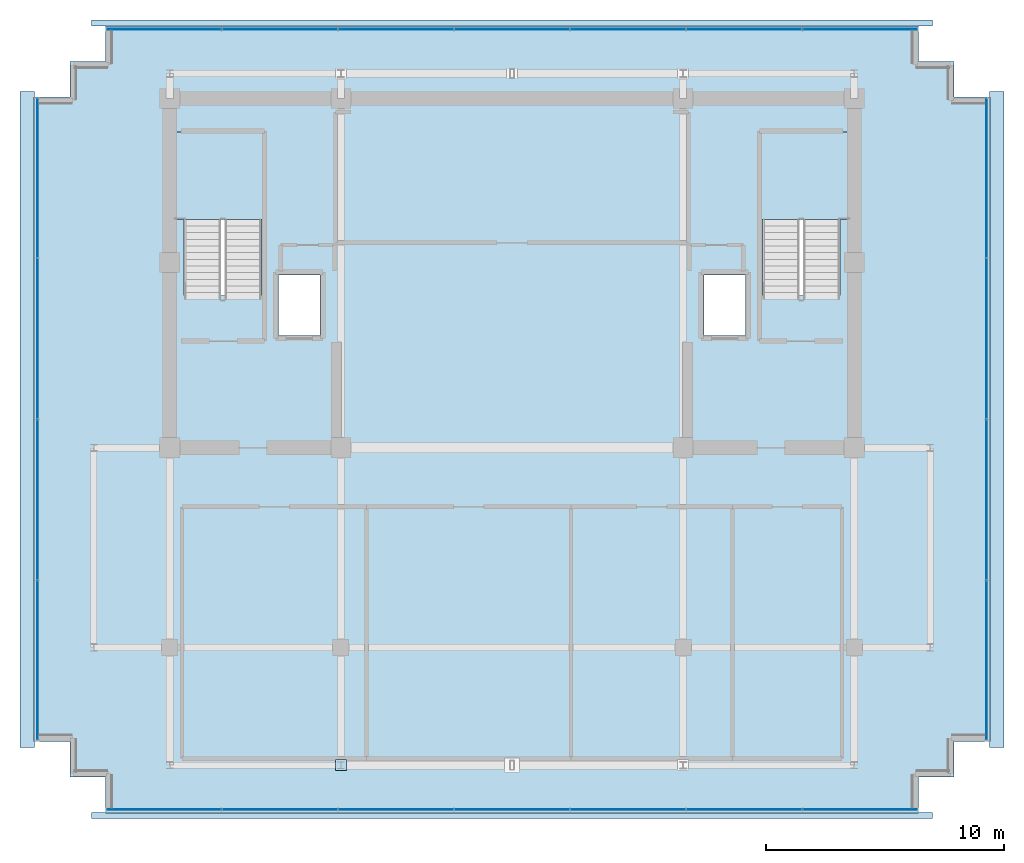
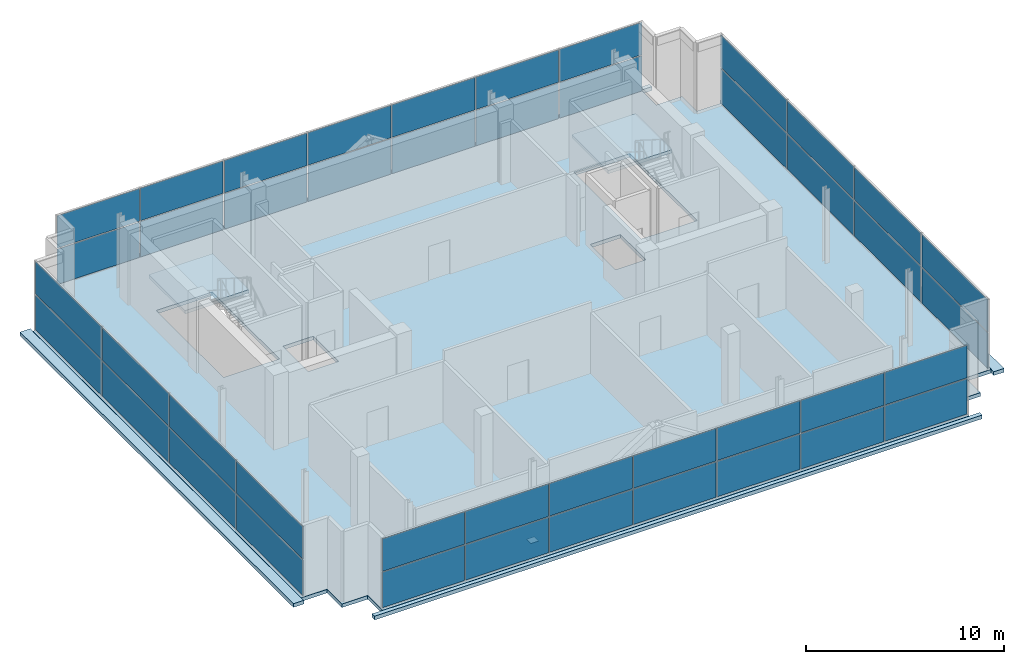
# One storey, part 23 of 28: 45 plates, 7 slabs, 6 elements without a shape of their own.
"""IFC4 building model written with IfcOpenShell, lengths in metres."""

from ifc_helpers import new_model, si_unit, direction, frame, origin, origin_2d, place, context, subcontext, project, spatial, polyline, rectangle, outline, extrude, source, transform, mapped, material, layer, layer_set, type_object, element, aggregate, save


model = new_model("IFC4")

# Units and contexts
model_context = context("Model", 3, precision=1e-05, world=origin(), true_north=direction((0.0, 1.0)))
body_context = subcontext(model_context, "Body", "Model", "MODEL_VIEW")
ifc_project = project(units=[si_unit("LENGTHUNIT", "METRE"), si_unit("AREAUNIT", "SQUARE_METRE"), si_unit("VOLUMEUNIT", "CUBIC_METRE"), si_unit("PLANEANGLEUNIT", "RADIAN"), si_unit("MASSUNIT", "GRAM", prefix="KILO")], contexts=[model_context])

# Site, building, storey
site_placement = place(None, origin())
site = spatial("IfcSite", under=ifc_project, at=site_placement, CompositionType="ELEMENT")
building_placement = place(site_placement, origin())
building = spatial("IfcBuilding", under=site, at=building_placement, Name="Zarnakvel Exchange Tower", CompositionType="ELEMENT")
storey_placement = place(building_placement, frame((0.0, 0.0, 276.199951171875)))
storey = spatial("IfcBuildingStorey", under=building, at=storey_placement, Name="Crown L78", CompositionType="ELEMENT", Elevation=276.199951171875)

# Stair, slab
ifc_material_1 = material(Name="Concrete C40/50", Category="concrete")
stair_type = type_object("IfcStairType", Name="STR-01", PredefinedType="HALF_TURN_STAIR", material=ifc_material_1)
stair_1_placement = place(storey_placement, origin())
stair_1 = element("IfcStair", 1, at=stair_1_placement, inside=storey, type_object=stair_type, Name="Crown L78 Protected Core Exit Stair ST-01", PredefinedType="HALF_TURN_STAIR")
ifc_layer_1 = layer(ifc_material_1, 0.199951171875)
ifc_layer_set_1 = layer_set([ifc_layer_1], Name="Concrete C40/50")
slab_type_1 = type_object("IfcSlabType", Name="LDG-01", PredefinedType="LANDING", material=ifc_layer_set_1)
slab_1_placement = place(storey_placement, frame((0.0, 0.0, 2.10009765625)))
slab_1 = element("IfcSlab", 2, at=slab_1_placement, type_object=slab_type_1, Name="ST-01 landing 1", PredefinedType="LANDING", context=body_context, shape_type="SweptSolid", body=[
    extrude(outline(polyline([(-14.18994140625, 8.409912109375), (-10.4599609375, 8.409912109375), (-10.4599609375, 12.080078125), (-14.18994140625, 12.080078125), (-14.18994140625, 8.409912109375)])), origin(), (0.0, 0.0, 1.0), 0.199951171875),
])
aggregate(stair_1, [slab_1])

stair_2_placement = place(storey_placement, origin())
stair_2 = element("IfcStair", 3, at=stair_2_placement, inside=storey, type_object=stair_type, Name="Crown L78 Protected Core Exit Stair ST-02", PredefinedType="HALF_TURN_STAIR")
slab_2_placement = place(storey_placement, frame((0.0, 0.0, 2.10009765625)))
slab_2 = element("IfcSlab", 4, at=slab_2_placement, type_object=slab_type_1, Name="ST-02 landing 1", PredefinedType="LANDING", context=body_context, shape_type="SweptSolid", body=[
    extrude(outline(polyline([(10.4599609375, 8.409912109375), (14.18994140625, 8.409912109375), (14.18994140625, 12.080078125), (10.4599609375, 12.080078125), (10.4599609375, 8.409912109375)])), origin(), (0.0, 0.0, 1.0), 0.199951171875),
])
aggregate(stair_2, [slab_2])

# Slabs
ifc_layer_2 = layer(ifc_material_1, 0.22998046875)
ifc_layer_set_2 = layer_set([ifc_layer_2], Name="Concrete C40/50")
slab_type_2 = type_object("IfcSlabType", Name="RF-SL1", PredefinedType="ROOF", material=ifc_layer_set_2)
slab_3_placement = place(storey_placement, frame((0.0, 0.0, -0.22998046875)))
element("IfcSlab", 5, at=slab_3_placement, inside=storey, type_object=slab_type_2, Name="Crown L78 Stepped Crown Tier Roof Slab #1", PredefinedType="ROOF", context=body_context, shape_type="SweptSolid", body=[
    extrude(outline(polyline([(17.699951171875, -16.800048828125), (-17.699951171875, -16.800048828125), (-17.699951171875, -16.550048828125), (-17.110107421875, -16.550048828125), (-17.110107421875, -16.56005859375), (17.110107421875, -16.56005859375), (17.110107421875, -16.550048828125), (17.699951171875, -16.550048828125), (17.699951171875, -16.800048828125)])), origin(), (0.0, 0.0, 1.0), 0.22998046875),
])
slab_4_placement = place(storey_placement, frame((0.0, 0.0, -0.22998046875)))
element("IfcSlab", 6, at=slab_4_placement, inside=storey, type_object=slab_type_2, Name="Crown L78 Stepped Crown Tier Roof Slab #2", PredefinedType="ROOF", context=body_context, shape_type="SweptSolid", body=[
    extrude(outline(polyline([(-17.699951171875, 16.800048828125), (17.699951171875, 16.800048828125), (17.699951171875, 16.550048828125), (17.110107421875, 16.550048828125), (17.110107421875, 16.56005859375), (-17.110107421875, 16.56005859375), (-17.110107421875, 16.550048828125), (-17.699951171875, 16.550048828125), (-17.699951171875, 16.800048828125)])), origin(), (0.0, 0.0, 1.0), 0.22998046875),
])
slab_5_placement = place(storey_placement, frame((0.0, 0.0, -0.22998046875)))
element("IfcSlab", 7, at=slab_5_placement, inside=storey, type_object=slab_type_2, Name="Crown L78 Stepped Crown Tier Roof Slab #3", PredefinedType="ROOF", context=body_context, shape_type="SweptSolid", body=[
    extrude(outline(polyline([(-20.10009765625, 13.800048828125), (-20.10009765625, 13.56005859375), (-20.110107421875, 13.56005859375), (-20.110107421875, -13.56005859375), (-20.10009765625, -13.56005859375), (-20.10009765625, -13.800048828125), (-20.699951171875, -13.800048828125), (-20.699951171875, 13.800048828125), (-20.10009765625, 13.800048828125)])), origin(), (0.0, 0.0, 1.0), 0.22998046875),
])
slab_6_placement = place(storey_placement, frame((0.0, 0.0, -0.22998046875)))
element("IfcSlab", 8, at=slab_6_placement, inside=storey, type_object=slab_type_2, Name="Crown L78 Stepped Crown Tier Roof Slab #4", PredefinedType="ROOF", context=body_context, shape_type="SweptSolid", body=[
    extrude(outline(polyline([(20.699951171875, 13.800048828125), (20.699951171875, -13.800048828125), (20.10009765625, -13.800048828125), (20.10009765625, -13.56005859375), (20.110107421875, -13.56005859375), (20.110107421875, 13.56005859375), (20.10009765625, 13.56005859375), (20.10009765625, 13.800048828125), (20.699951171875, 13.800048828125)])), origin(), (0.0, 0.0, 1.0), 0.22998046875),
])
ifc_layer_3 = layer(ifc_material_1, 0.219970703125)
ifc_layer_set_3 = layer_set([ifc_layer_3], Name="Concrete C40/50")
slab_type_3 = type_object("IfcSlabType", Name="SL-05", PredefinedType="FLOOR", material=ifc_layer_set_3)
slab_7_placement = place(storey_placement, frame((0.0, 0.0, -0.219970703125)))
element("IfcSlab", 9, at=slab_7_placement, inside=storey, type_object=slab_type_3, Name="Crown L78 Primary Structural Floor Slab", PredefinedType="FLOOR", context=body_context, shape_type="SweptSolid", body=[
    extrude(outline(polyline([(-20.10009765625, -13.550048828125), (-18.60009765625, -13.550048828125), (-18.60009765625, -15.050048828125), (-17.10009765625, -15.050048828125), (-17.10009765625, -16.550048828125), (17.10009765625, -16.550048828125), (17.10009765625, -15.050048828125), (18.60009765625, -15.050048828125), (18.60009765625, -13.550048828125), (20.10009765625, -13.550048828125), (20.10009765625, 13.550048828125), (18.60009765625, 13.550048828125), (18.60009765625, 15.050048828125), (17.10009765625, 15.050048828125), (17.10009765625, 16.550048828125), (-17.10009765625, 16.550048828125), (-17.10009765625, 15.050048828125), (-18.60009765625, 15.050048828125), (-18.60009765625, 13.550048828125), (-20.10009765625, 13.550048828125), (-20.10009765625, -13.550048828125)]), holes=[polyline([(-13.800048828125, 5.2099609375), (-10.5400390625, 5.2099609375), (-10.5400390625, 12.0), (-13.800048828125, 12.0), (-13.800048828125, 5.2099609375)]), polyline([(10.5400390625, 5.2099609375), (13.800048828125, 5.2099609375), (13.800048828125, 12.0), (10.5400390625, 12.0), (10.5400390625, 5.2099609375)]), polyline([(-9.830078125, 3.52001953125), (-8.070068359375, 3.52001953125), (-8.070068359375, 6.080078125), (-9.830078125, 6.080078125), (-9.830078125, 3.52001953125)]), polyline([(8.070068359375, 3.52001953125), (9.830078125, 3.52001953125), (9.830078125, 6.080078125), (8.070068359375, 6.080078125), (8.070068359375, 3.52001953125)])]), origin(), (0.0, 0.0, 1.0), 0.219970703125),
])

# Plate
ifc_material_2 = material(Name="Steel S355", Category="steel")
ifc_layer_4 = layer(ifc_material_2, 0.028076171875)
ifc_layer_set_4 = layer_set([ifc_layer_4], Name="Steel S355")
plate_type_1 = type_object("IfcPlateType", Name="BP-02", PredefinedType="USERDEFINED", material=ifc_layer_set_4)
shared_shape_1 = source(origin(), body_context, "Body", "SweptSolid", [
    extrude(rectangle(XDim=0.4599609375, YDim=0.4599609375, at=origin_2d()), origin(), (0.0, 0.0, 1.0), 0.028076171875),
])
plate_1_placement = place(storey_placement, frame((-7.199951171875, -14.550048828125, -0.3740234375), z_axis=(0.0, 0.0, 1.0), x_axis=(1.0, 0.0, 0.0)))
element("IfcPlate", 10, at=plate_1_placement, inside=storey, type_object=plate_type_1, Name="Crown L78 Crown Member End Cap Plate", ObjectType="BASE_PLATE", PredefinedType="USERDEFINED", context=body_context, shape_type="MappedRepresentation", body=[
    mapped(shared_shape_1, transform((0.0, 0.0, 0.0), x_axis=(1.0, 0.0, 0.0), y_axis=(0.0, 1.0, 0.0), z_axis=(0.0, 0.0, 1.0), scale=1.0)),
])

# Curtain wall, plates
ifc_material_3 = material(Name="Architectural Bronze Anodised Aluminium", Category="aluminium")
ifc_layer_5 = layer(ifc_material_3, 0.14990234375)
ifc_layer_set_5 = layer_set([ifc_layer_5], Name="Architectural Bronze Anodised Aluminium")
curtain_wall_type = type_object("IfcCurtainWallType", Name="CW-07", PredefinedType="NOTDEFINED", material=ifc_layer_set_5)
curtain_wall_1_placement = place(storey_placement, origin())
curtain_wall_1 = element("IfcCurtainWall", 11, at=curtain_wall_1_placement, inside=storey, type_object=curtain_wall_type, Name="Crown L78 Curtain Wall CW-Crown L78-S (CW-07)", PredefinedType="NOTDEFINED")
ifc_material_4 = material(Name="Insulated Bronze Aluminium Spandrel Panel", Category="aluminium")
ifc_layer_6 = layer(ifc_material_4, 0.02392578125)
ifc_layer_set_6 = layer_set([ifc_layer_6], Name="Insulated Bronze Aluminium Spandrel Panel")
plate_type_2 = type_object("IfcPlateType", Name="CWP-07", PredefinedType="CURTAIN_PANEL", material=ifc_layer_set_6)
shared_shape_2 = source(origin(), body_context, "Body", "SweptSolid", [
    extrude(rectangle(XDim=4.795654296875, YDim=0.02392578125, at=origin_2d()), origin(), (0.0, 0.0, 1.0), 2.17724609375),
])
plate_2_placement = place(storey_placement, frame((-14.64208984375, -16.409912109375, 0.06005859375), z_axis=(0.0, 0.0, 1.0), x_axis=(1.0, 0.0, 0.0)))
plate_2 = element("IfcPlate", 12, at=plate_2_placement, type_object=plate_type_2, Name="CW-07 panel 1.1", PredefinedType="CURTAIN_PANEL", context=body_context, shape_type="MappedRepresentation", body=[
    mapped(shared_shape_2, transform((0.0, 0.0, 0.0), x_axis=(1.0, 0.0, 0.0), y_axis=(0.0, 1.0, 0.0), z_axis=(0.0, 0.0, 1.0), scale=1.0)),
])
plate_3_placement = place(storey_placement, frame((14.64208984375, -16.409912109375, 0.06005859375), z_axis=(0.0, 0.0, 1.0), x_axis=(1.0, 0.0, 0.0)))
plate_3 = element("IfcPlate", 13, at=plate_3_placement, type_object=plate_type_2, Name="CW-07 panel 7.1", PredefinedType="CURTAIN_PANEL", context=body_context, shape_type="MappedRepresentation", body=[
    mapped(shared_shape_2, transform((0.0, 0.0, 0.0), x_axis=(1.0, 0.0, 0.0), y_axis=(0.0, 1.0, 0.0), z_axis=(0.0, 0.0, 1.0), scale=1.0)),
])

curtain_wall_2_placement = place(storey_placement, origin())
curtain_wall_2 = element("IfcCurtainWall", 14, at=curtain_wall_2_placement, inside=storey, type_object=curtain_wall_type, Name="Crown L78 Curtain Wall CW-Crown L78-N (CW-07)", PredefinedType="NOTDEFINED")
plate_4_placement = place(storey_placement, frame((-14.64208984375, 16.409912109375, 0.06005859375), z_axis=(0.0, 0.0, 1.0), x_axis=(1.0, 0.0, 0.0)))
plate_4 = element("IfcPlate", 15, at=plate_4_placement, type_object=plate_type_2, Name="CW-07 panel 1.1", PredefinedType="CURTAIN_PANEL", context=body_context, shape_type="MappedRepresentation", body=[
    mapped(shared_shape_2, transform((0.0, 0.0, 0.0), x_axis=(1.0, 0.0, 0.0), y_axis=(0.0, 1.0, 0.0), z_axis=(0.0, 0.0, 1.0), scale=1.0)),
])
plate_5_placement = place(storey_placement, frame((14.64208984375, 16.409912109375, 0.06005859375), z_axis=(0.0, 0.0, 1.0), x_axis=(1.0, 0.0, 0.0)))
plate_5 = element("IfcPlate", 16, at=plate_5_placement, type_object=plate_type_2, Name="CW-07 panel 7.1", PredefinedType="CURTAIN_PANEL", context=body_context, shape_type="MappedRepresentation", body=[
    mapped(shared_shape_2, transform((0.0, 0.0, 0.0), x_axis=(1.0, 0.0, 0.0), y_axis=(0.0, 1.0, 0.0), z_axis=(0.0, 0.0, 1.0), scale=1.0)),
])

# Plate
shared_shape_3 = source(origin(), body_context, "Body", "SweptSolid", [
    extrude(rectangle(XDim=4.795654296875, YDim=0.02392578125, at=origin_2d()), origin(), (0.0, 0.0, 1.0), 2.002685546875),
])
plate_6_placement = place(storey_placement, frame((-14.64208984375, -16.409912109375, 2.29736328125), z_axis=(0.0, 0.0, 1.0), x_axis=(1.0, 0.0, 0.0)))
plate_6 = element("IfcPlate", 17, at=plate_6_placement, type_object=plate_type_2, Name="CW-07 panel 1.2", PredefinedType="CURTAIN_PANEL", context=body_context, shape_type="MappedRepresentation", body=[
    mapped(shared_shape_3, transform((0.0, 0.0, 0.0), x_axis=(1.0, 0.0, 0.0), y_axis=(0.0, 1.0, 0.0), z_axis=(0.0, 0.0, 1.0), scale=1.0)),
])

plate_7_placement = place(storey_placement, frame((14.64208984375, -16.409912109375, 2.29736328125), z_axis=(0.0, 0.0, 1.0), x_axis=(1.0, 0.0, 0.0)))
plate_7 = element("IfcPlate", 18, at=plate_7_placement, type_object=plate_type_2, Name="CW-07 panel 7.2", PredefinedType="CURTAIN_PANEL", context=body_context, shape_type="MappedRepresentation", body=[
    mapped(shared_shape_3, transform((0.0, 0.0, 0.0), x_axis=(1.0, 0.0, 0.0), y_axis=(0.0, 1.0, 0.0), z_axis=(0.0, 0.0, 1.0), scale=1.0)),
])

plate_8_placement = place(storey_placement, frame((-14.64208984375, 16.409912109375, 2.29736328125), z_axis=(0.0, 0.0, 1.0), x_axis=(1.0, 0.0, 0.0)))
plate_8 = element("IfcPlate", 19, at=plate_8_placement, type_object=plate_type_2, Name="CW-07 panel 1.2", PredefinedType="CURTAIN_PANEL", context=body_context, shape_type="MappedRepresentation", body=[
    mapped(shared_shape_3, transform((0.0, 0.0, 0.0), x_axis=(1.0, 0.0, 0.0), y_axis=(0.0, 1.0, 0.0), z_axis=(0.0, 0.0, 1.0), scale=1.0)),
])

plate_9_placement = place(storey_placement, frame((14.64208984375, 16.409912109375, 2.29736328125), z_axis=(0.0, 0.0, 1.0), x_axis=(1.0, 0.0, 0.0)))
plate_9 = element("IfcPlate", 20, at=plate_9_placement, type_object=plate_type_2, Name="CW-07 panel 7.2", PredefinedType="CURTAIN_PANEL", context=body_context, shape_type="MappedRepresentation", body=[
    mapped(shared_shape_3, transform((0.0, 0.0, 0.0), x_axis=(1.0, 0.0, 0.0), y_axis=(0.0, 1.0, 0.0), z_axis=(0.0, 0.0, 1.0), scale=1.0)),
])

shared_shape_4 = source(origin(), body_context, "Body", "SweptSolid", [
    extrude(rectangle(XDim=4.82568359375, YDim=0.02392578125, at=origin_2d()), origin(), (0.0, 0.0, 1.0), 2.17724609375),
])
plate_10_placement = place(storey_placement, frame((-9.771484375, -16.409912109375, 0.06005859375), z_axis=(0.0, 0.0, 1.0), x_axis=(1.0, 0.0, 0.0)))
plate_10 = element("IfcPlate", 21, at=plate_10_placement, type_object=plate_type_2, Name="CW-07 panel 2.1", PredefinedType="CURTAIN_PANEL", context=body_context, shape_type="MappedRepresentation", body=[
    mapped(shared_shape_4, transform((0.0, 0.0, 0.0), x_axis=(1.0, 0.0, 0.0), y_axis=(0.0, 1.0, 0.0), z_axis=(0.0, 0.0, 1.0), scale=1.0)),
])

plate_11_placement = place(storey_placement, frame((-4.8857421875, -16.409912109375, 0.06005859375), z_axis=(0.0, 0.0, 1.0), x_axis=(1.0, 0.0, 0.0)))
plate_11 = element("IfcPlate", 22, at=plate_11_placement, type_object=plate_type_2, Name="CW-07 panel 3.1", PredefinedType="CURTAIN_PANEL", context=body_context, shape_type="MappedRepresentation", body=[
    mapped(shared_shape_4, transform((0.0, 0.0, 0.0), x_axis=(1.0, 0.0, 0.0), y_axis=(0.0, 1.0, 0.0), z_axis=(0.0, 0.0, 1.0), scale=1.0)),
])

plate_12_placement = place(storey_placement, frame((0.0, -16.409912109375, 0.06005859375), z_axis=(0.0, 0.0, 1.0), x_axis=(1.0, 0.0, 0.0)))
plate_12 = element("IfcPlate", 23, at=plate_12_placement, type_object=plate_type_2, Name="CW-07 panel 4.1", PredefinedType="CURTAIN_PANEL", context=body_context, shape_type="MappedRepresentation", body=[
    mapped(shared_shape_4, transform((0.0, 0.0, 0.0), x_axis=(1.0, 0.0, 0.0), y_axis=(0.0, 1.0, 0.0), z_axis=(0.0, 0.0, 1.0), scale=1.0)),
])

plate_13_placement = place(storey_placement, frame((4.8857421875, -16.409912109375, 0.06005859375), z_axis=(0.0, 0.0, 1.0), x_axis=(1.0, 0.0, 0.0)))
plate_13 = element("IfcPlate", 24, at=plate_13_placement, type_object=plate_type_2, Name="CW-07 panel 5.1", PredefinedType="CURTAIN_PANEL", context=body_context, shape_type="MappedRepresentation", body=[
    mapped(shared_shape_4, transform((0.0, 0.0, 0.0), x_axis=(1.0, 0.0, 0.0), y_axis=(0.0, 1.0, 0.0), z_axis=(0.0, 0.0, 1.0), scale=1.0)),
])

plate_14_placement = place(storey_placement, frame((9.771484375, -16.409912109375, 0.06005859375), z_axis=(0.0, 0.0, 1.0), x_axis=(1.0, 0.0, 0.0)))
plate_14 = element("IfcPlate", 25, at=plate_14_placement, type_object=plate_type_2, Name="CW-07 panel 6.1", PredefinedType="CURTAIN_PANEL", context=body_context, shape_type="MappedRepresentation", body=[
    mapped(shared_shape_4, transform((0.0, 0.0, 0.0), x_axis=(1.0, 0.0, 0.0), y_axis=(0.0, 1.0, 0.0), z_axis=(0.0, 0.0, 1.0), scale=1.0)),
])

plate_15_placement = place(storey_placement, frame((-9.771484375, 16.409912109375, 0.06005859375), z_axis=(0.0, 0.0, 1.0), x_axis=(1.0, 0.0, 0.0)))
plate_15 = element("IfcPlate", 26, at=plate_15_placement, type_object=plate_type_2, Name="CW-07 panel 2.1", PredefinedType="CURTAIN_PANEL", context=body_context, shape_type="MappedRepresentation", body=[
    mapped(shared_shape_4, transform((0.0, 0.0, 0.0), x_axis=(1.0, 0.0, 0.0), y_axis=(0.0, 1.0, 0.0), z_axis=(0.0, 0.0, 1.0), scale=1.0)),
])

plate_16_placement = place(storey_placement, frame((-4.8857421875, 16.409912109375, 0.06005859375), z_axis=(0.0, 0.0, 1.0), x_axis=(1.0, 0.0, 0.0)))
plate_16 = element("IfcPlate", 27, at=plate_16_placement, type_object=plate_type_2, Name="CW-07 panel 3.1", PredefinedType="CURTAIN_PANEL", context=body_context, shape_type="MappedRepresentation", body=[
    mapped(shared_shape_4, transform((0.0, 0.0, 0.0), x_axis=(1.0, 0.0, 0.0), y_axis=(0.0, 1.0, 0.0), z_axis=(0.0, 0.0, 1.0), scale=1.0)),
])

plate_17_placement = place(storey_placement, frame((0.0, 16.409912109375, 0.06005859375), z_axis=(0.0, 0.0, 1.0), x_axis=(1.0, 0.0, 0.0)))
plate_17 = element("IfcPlate", 28, at=plate_17_placement, type_object=plate_type_2, Name="CW-07 panel 4.1", PredefinedType="CURTAIN_PANEL", context=body_context, shape_type="MappedRepresentation", body=[
    mapped(shared_shape_4, transform((0.0, 0.0, 0.0), x_axis=(1.0, 0.0, 0.0), y_axis=(0.0, 1.0, 0.0), z_axis=(0.0, 0.0, 1.0), scale=1.0)),
])

plate_18_placement = place(storey_placement, frame((4.8857421875, 16.409912109375, 0.06005859375), z_axis=(0.0, 0.0, 1.0), x_axis=(1.0, 0.0, 0.0)))
plate_18 = element("IfcPlate", 29, at=plate_18_placement, type_object=plate_type_2, Name="CW-07 panel 5.1", PredefinedType="CURTAIN_PANEL", context=body_context, shape_type="MappedRepresentation", body=[
    mapped(shared_shape_4, transform((0.0, 0.0, 0.0), x_axis=(1.0, 0.0, 0.0), y_axis=(0.0, 1.0, 0.0), z_axis=(0.0, 0.0, 1.0), scale=1.0)),
])

plate_19_placement = place(storey_placement, frame((9.771484375, 16.409912109375, 0.06005859375), z_axis=(0.0, 0.0, 1.0), x_axis=(1.0, 0.0, 0.0)))
plate_19 = element("IfcPlate", 30, at=plate_19_placement, type_object=plate_type_2, Name="CW-07 panel 6.1", PredefinedType="CURTAIN_PANEL", context=body_context, shape_type="MappedRepresentation", body=[
    mapped(shared_shape_4, transform((0.0, 0.0, 0.0), x_axis=(1.0, 0.0, 0.0), y_axis=(0.0, 1.0, 0.0), z_axis=(0.0, 0.0, 1.0), scale=1.0)),
])

shared_shape_5 = source(origin(), body_context, "Body", "SweptSolid", [
    extrude(rectangle(XDim=4.82568359375, YDim=0.02392578125, at=origin_2d()), origin(), (0.0, 0.0, 1.0), 2.002685546875),
])
plate_20_placement = place(storey_placement, frame((-9.771484375, -16.409912109375, 2.29736328125), z_axis=(0.0, 0.0, 1.0), x_axis=(1.0, 0.0, 0.0)))
plate_20 = element("IfcPlate", 31, at=plate_20_placement, type_object=plate_type_2, Name="CW-07 panel 2.2", PredefinedType="CURTAIN_PANEL", context=body_context, shape_type="MappedRepresentation", body=[
    mapped(shared_shape_5, transform((0.0, 0.0, 0.0), x_axis=(1.0, 0.0, 0.0), y_axis=(0.0, 1.0, 0.0), z_axis=(0.0, 0.0, 1.0), scale=1.0)),
])

plate_21_placement = place(storey_placement, frame((-4.8857421875, -16.409912109375, 2.29736328125), z_axis=(0.0, 0.0, 1.0), x_axis=(1.0, 0.0, 0.0)))
plate_21 = element("IfcPlate", 32, at=plate_21_placement, type_object=plate_type_2, Name="CW-07 panel 3.2", PredefinedType="CURTAIN_PANEL", context=body_context, shape_type="MappedRepresentation", body=[
    mapped(shared_shape_5, transform((0.0, 0.0, 0.0), x_axis=(1.0, 0.0, 0.0), y_axis=(0.0, 1.0, 0.0), z_axis=(0.0, 0.0, 1.0), scale=1.0)),
])

plate_22_placement = place(storey_placement, frame((0.0, -16.409912109375, 2.29736328125), z_axis=(0.0, 0.0, 1.0), x_axis=(1.0, 0.0, 0.0)))
plate_22 = element("IfcPlate", 33, at=plate_22_placement, type_object=plate_type_2, Name="CW-07 panel 4.2", PredefinedType="CURTAIN_PANEL", context=body_context, shape_type="MappedRepresentation", body=[
    mapped(shared_shape_5, transform((0.0, 0.0, 0.0), x_axis=(1.0, 0.0, 0.0), y_axis=(0.0, 1.0, 0.0), z_axis=(0.0, 0.0, 1.0), scale=1.0)),
])

plate_23_placement = place(storey_placement, frame((4.8857421875, -16.409912109375, 2.29736328125), z_axis=(0.0, 0.0, 1.0), x_axis=(1.0, 0.0, 0.0)))
plate_23 = element("IfcPlate", 34, at=plate_23_placement, type_object=plate_type_2, Name="CW-07 panel 5.2", PredefinedType="CURTAIN_PANEL", context=body_context, shape_type="MappedRepresentation", body=[
    mapped(shared_shape_5, transform((0.0, 0.0, 0.0), x_axis=(1.0, 0.0, 0.0), y_axis=(0.0, 1.0, 0.0), z_axis=(0.0, 0.0, 1.0), scale=1.0)),
])

plate_24_placement = place(storey_placement, frame((9.771484375, -16.409912109375, 2.29736328125), z_axis=(0.0, 0.0, 1.0), x_axis=(1.0, 0.0, 0.0)))
plate_24 = element("IfcPlate", 35, at=plate_24_placement, type_object=plate_type_2, Name="CW-07 panel 6.2", PredefinedType="CURTAIN_PANEL", context=body_context, shape_type="MappedRepresentation", body=[
    mapped(shared_shape_5, transform((0.0, 0.0, 0.0), x_axis=(1.0, 0.0, 0.0), y_axis=(0.0, 1.0, 0.0), z_axis=(0.0, 0.0, 1.0), scale=1.0)),
])

aggregate(curtain_wall_1, [plate_2, plate_6, plate_10, plate_20, plate_11, plate_21, plate_12, plate_22, plate_13, plate_23, plate_14, plate_24, plate_3, plate_7])

plate_25_placement = place(storey_placement, frame((-9.771484375, 16.409912109375, 2.29736328125), z_axis=(0.0, 0.0, 1.0), x_axis=(1.0, 0.0, 0.0)))
plate_25 = element("IfcPlate", 36, at=plate_25_placement, type_object=plate_type_2, Name="CW-07 panel 2.2", PredefinedType="CURTAIN_PANEL", context=body_context, shape_type="MappedRepresentation", body=[
    mapped(shared_shape_5, transform((0.0, 0.0, 0.0), x_axis=(1.0, 0.0, 0.0), y_axis=(0.0, 1.0, 0.0), z_axis=(0.0, 0.0, 1.0), scale=1.0)),
])

plate_26_placement = place(storey_placement, frame((-4.8857421875, 16.409912109375, 2.29736328125), z_axis=(0.0, 0.0, 1.0), x_axis=(1.0, 0.0, 0.0)))
plate_26 = element("IfcPlate", 37, at=plate_26_placement, type_object=plate_type_2, Name="CW-07 panel 3.2", PredefinedType="CURTAIN_PANEL", context=body_context, shape_type="MappedRepresentation", body=[
    mapped(shared_shape_5, transform((0.0, 0.0, 0.0), x_axis=(1.0, 0.0, 0.0), y_axis=(0.0, 1.0, 0.0), z_axis=(0.0, 0.0, 1.0), scale=1.0)),
])

plate_27_placement = place(storey_placement, frame((0.0, 16.409912109375, 2.29736328125), z_axis=(0.0, 0.0, 1.0), x_axis=(1.0, 0.0, 0.0)))
plate_27 = element("IfcPlate", 38, at=plate_27_placement, type_object=plate_type_2, Name="CW-07 panel 4.2", PredefinedType="CURTAIN_PANEL", context=body_context, shape_type="MappedRepresentation", body=[
    mapped(shared_shape_5, transform((0.0, 0.0, 0.0), x_axis=(1.0, 0.0, 0.0), y_axis=(0.0, 1.0, 0.0), z_axis=(0.0, 0.0, 1.0), scale=1.0)),
])

plate_28_placement = place(storey_placement, frame((4.8857421875, 16.409912109375, 2.29736328125), z_axis=(0.0, 0.0, 1.0), x_axis=(1.0, 0.0, 0.0)))
plate_28 = element("IfcPlate", 39, at=plate_28_placement, type_object=plate_type_2, Name="CW-07 panel 5.2", PredefinedType="CURTAIN_PANEL", context=body_context, shape_type="MappedRepresentation", body=[
    mapped(shared_shape_5, transform((0.0, 0.0, 0.0), x_axis=(1.0, 0.0, 0.0), y_axis=(0.0, 1.0, 0.0), z_axis=(0.0, 0.0, 1.0), scale=1.0)),
])

plate_29_placement = place(storey_placement, frame((9.771484375, 16.409912109375, 2.29736328125), z_axis=(0.0, 0.0, 1.0), x_axis=(1.0, 0.0, 0.0)))
plate_29 = element("IfcPlate", 40, at=plate_29_placement, type_object=plate_type_2, Name="CW-07 panel 6.2", PredefinedType="CURTAIN_PANEL", context=body_context, shape_type="MappedRepresentation", body=[
    mapped(shared_shape_5, transform((0.0, 0.0, 0.0), x_axis=(1.0, 0.0, 0.0), y_axis=(0.0, 1.0, 0.0), z_axis=(0.0, 0.0, 1.0), scale=1.0)),
])

aggregate(curtain_wall_2, [plate_4, plate_8, plate_15, plate_25, plate_16, plate_26, plate_17, plate_27, plate_18, plate_28, plate_19, plate_29, plate_5, plate_9])

# Curtain wall, plates
curtain_wall_3_placement = place(storey_placement, origin())
curtain_wall_3 = element("IfcCurtainWall", 41, at=curtain_wall_3_placement, inside=storey, type_object=curtain_wall_type, Name="Crown L78 Curtain Wall CW-Crown L78-W (CW-07)", PredefinedType="NOTDEFINED")
shared_shape_6 = source(origin(), body_context, "Body", "SweptSolid", [
    extrude(rectangle(XDim=6.68505859375, YDim=0.02392578125, at=origin_2d()), origin(), (0.0, 0.0, 1.0), 2.17724609375),
])
plate_30_placement = place(storey_placement, frame((-19.9599609375, -10.1474609375, 0.06005859375), z_axis=(0.0, 0.0, 1.0), x_axis=(0.0, 1.0, 0.0)))
plate_30 = element("IfcPlate", 42, at=plate_30_placement, type_object=plate_type_2, Name="CW-07 panel 1.1", PredefinedType="CURTAIN_PANEL", context=body_context, shape_type="MappedRepresentation", body=[
    mapped(shared_shape_6, transform((0.0, 0.0, 0.0), x_axis=(1.0, 0.0, 0.0), y_axis=(0.0, 1.0, 0.0), z_axis=(0.0, 0.0, 1.0), scale=1.0)),
])
plate_31_placement = place(storey_placement, frame((-19.9599609375, 10.1474609375, 0.06005859375), z_axis=(0.0, 0.0, 1.0), x_axis=(0.0, 1.0, 0.0)))
plate_31 = element("IfcPlate", 43, at=plate_31_placement, type_object=plate_type_2, Name="CW-07 panel 4.1", PredefinedType="CURTAIN_PANEL", context=body_context, shape_type="MappedRepresentation", body=[
    mapped(shared_shape_6, transform((0.0, 0.0, 0.0), x_axis=(1.0, 0.0, 0.0), y_axis=(0.0, 1.0, 0.0), z_axis=(0.0, 0.0, 1.0), scale=1.0)),
])

curtain_wall_4_placement = place(storey_placement, origin())
curtain_wall_4 = element("IfcCurtainWall", 44, at=curtain_wall_4_placement, inside=storey, type_object=curtain_wall_type, Name="Crown L78 Curtain Wall CW-Crown L78-E (CW-07)", PredefinedType="NOTDEFINED")
plate_32_placement = place(storey_placement, frame((19.9599609375, -10.1474609375, 0.06005859375), z_axis=(0.0, 0.0, 1.0), x_axis=(0.0, 1.0, 0.0)))
plate_32 = element("IfcPlate", 45, at=plate_32_placement, type_object=plate_type_2, Name="CW-07 panel 1.1", PredefinedType="CURTAIN_PANEL", context=body_context, shape_type="MappedRepresentation", body=[
    mapped(shared_shape_6, transform((0.0, 0.0, 0.0), x_axis=(1.0, 0.0, 0.0), y_axis=(0.0, 1.0, 0.0), z_axis=(0.0, 0.0, 1.0), scale=1.0)),
])
plate_33_placement = place(storey_placement, frame((19.9599609375, 10.1474609375, 0.06005859375), z_axis=(0.0, 0.0, 1.0), x_axis=(0.0, 1.0, 0.0)))
plate_33 = element("IfcPlate", 46, at=plate_33_placement, type_object=plate_type_2, Name="CW-07 panel 4.1", PredefinedType="CURTAIN_PANEL", context=body_context, shape_type="MappedRepresentation", body=[
    mapped(shared_shape_6, transform((0.0, 0.0, 0.0), x_axis=(1.0, 0.0, 0.0), y_axis=(0.0, 1.0, 0.0), z_axis=(0.0, 0.0, 1.0), scale=1.0)),
])

# Plate
shared_shape_7 = source(origin(), body_context, "Body", "SweptSolid", [
    extrude(rectangle(XDim=6.68505859375, YDim=0.02392578125, at=origin_2d()), origin(), (0.0, 0.0, 1.0), 2.002685546875),
])
plate_34_placement = place(storey_placement, frame((-19.9599609375, -10.1474609375, 2.29736328125), z_axis=(0.0, 0.0, 1.0), x_axis=(0.0, 1.0, 0.0)))
plate_34 = element("IfcPlate", 47, at=plate_34_placement, type_object=plate_type_2, Name="CW-07 panel 1.2", PredefinedType="CURTAIN_PANEL", context=body_context, shape_type="MappedRepresentation", body=[
    mapped(shared_shape_7, transform((0.0, 0.0, 0.0), x_axis=(1.0, 0.0, 0.0), y_axis=(0.0, 1.0, 0.0), z_axis=(0.0, 0.0, 1.0), scale=1.0)),
])

plate_35_placement = place(storey_placement, frame((-19.9599609375, 10.1474609375, 2.29736328125), z_axis=(0.0, 0.0, 1.0), x_axis=(0.0, 1.0, 0.0)))
plate_35 = element("IfcPlate", 48, at=plate_35_placement, type_object=plate_type_2, Name="CW-07 panel 4.2", PredefinedType="CURTAIN_PANEL", context=body_context, shape_type="MappedRepresentation", body=[
    mapped(shared_shape_7, transform((0.0, 0.0, 0.0), x_axis=(1.0, 0.0, 0.0), y_axis=(0.0, 1.0, 0.0), z_axis=(0.0, 0.0, 1.0), scale=1.0)),
])

plate_36_placement = place(storey_placement, frame((19.9599609375, -10.1474609375, 2.29736328125), z_axis=(0.0, 0.0, 1.0), x_axis=(0.0, 1.0, 0.0)))
plate_36 = element("IfcPlate", 49, at=plate_36_placement, type_object=plate_type_2, Name="CW-07 panel 1.2", PredefinedType="CURTAIN_PANEL", context=body_context, shape_type="MappedRepresentation", body=[
    mapped(shared_shape_7, transform((0.0, 0.0, 0.0), x_axis=(1.0, 0.0, 0.0), y_axis=(0.0, 1.0, 0.0), z_axis=(0.0, 0.0, 1.0), scale=1.0)),
])

plate_37_placement = place(storey_placement, frame((19.9599609375, 10.1474609375, 2.29736328125), z_axis=(0.0, 0.0, 1.0), x_axis=(0.0, 1.0, 0.0)))
plate_37 = element("IfcPlate", 50, at=plate_37_placement, type_object=plate_type_2, Name="CW-07 panel 4.2", PredefinedType="CURTAIN_PANEL", context=body_context, shape_type="MappedRepresentation", body=[
    mapped(shared_shape_7, transform((0.0, 0.0, 0.0), x_axis=(1.0, 0.0, 0.0), y_axis=(0.0, 1.0, 0.0), z_axis=(0.0, 0.0, 1.0), scale=1.0)),
])

shared_shape_8 = source(origin(), body_context, "Body", "SweptSolid", [
    extrude(rectangle(XDim=6.715087890625, YDim=0.02392578125, at=origin_2d()), origin(), (0.0, 0.0, 1.0), 2.17724609375),
])
plate_38_placement = place(storey_placement, frame((-19.9599609375, -3.387451171875, 0.06005859375), z_axis=(0.0, 0.0, 1.0), x_axis=(0.0, 1.0, 0.0)))
plate_38 = element("IfcPlate", 51, at=plate_38_placement, type_object=plate_type_2, Name="CW-07 panel 2.1", PredefinedType="CURTAIN_PANEL", context=body_context, shape_type="MappedRepresentation", body=[
    mapped(shared_shape_8, transform((0.0, 0.0, 0.0), x_axis=(1.0, 0.0, 0.0), y_axis=(0.0, 1.0, 0.0), z_axis=(0.0, 0.0, 1.0), scale=1.0)),
])

plate_39_placement = place(storey_placement, frame((-19.9599609375, 3.387451171875, 0.06005859375), z_axis=(0.0, 0.0, 1.0), x_axis=(0.0, 1.0, 0.0)))
plate_39 = element("IfcPlate", 52, at=plate_39_placement, type_object=plate_type_2, Name="CW-07 panel 3.1", PredefinedType="CURTAIN_PANEL", context=body_context, shape_type="MappedRepresentation", body=[
    mapped(shared_shape_8, transform((0.0, 0.0, 0.0), x_axis=(1.0, 0.0, 0.0), y_axis=(0.0, 1.0, 0.0), z_axis=(0.0, 0.0, 1.0), scale=1.0)),
])

plate_40_placement = place(storey_placement, frame((19.9599609375, -3.387451171875, 0.06005859375), z_axis=(0.0, 0.0, 1.0), x_axis=(0.0, 1.0, 0.0)))
plate_40 = element("IfcPlate", 53, at=plate_40_placement, type_object=plate_type_2, Name="CW-07 panel 2.1", PredefinedType="CURTAIN_PANEL", context=body_context, shape_type="MappedRepresentation", body=[
    mapped(shared_shape_8, transform((0.0, 0.0, 0.0), x_axis=(1.0, 0.0, 0.0), y_axis=(0.0, 1.0, 0.0), z_axis=(0.0, 0.0, 1.0), scale=1.0)),
])

plate_41_placement = place(storey_placement, frame((19.9599609375, 3.387451171875, 0.06005859375), z_axis=(0.0, 0.0, 1.0), x_axis=(0.0, 1.0, 0.0)))
plate_41 = element("IfcPlate", 54, at=plate_41_placement, type_object=plate_type_2, Name="CW-07 panel 3.1", PredefinedType="CURTAIN_PANEL", context=body_context, shape_type="MappedRepresentation", body=[
    mapped(shared_shape_8, transform((0.0, 0.0, 0.0), x_axis=(1.0, 0.0, 0.0), y_axis=(0.0, 1.0, 0.0), z_axis=(0.0, 0.0, 1.0), scale=1.0)),
])

shared_shape_9 = source(origin(), body_context, "Body", "SweptSolid", [
    extrude(rectangle(XDim=6.715087890625, YDim=0.02392578125, at=origin_2d()), origin(), (0.0, 0.0, 1.0), 2.002685546875),
])
plate_42_placement = place(storey_placement, frame((-19.9599609375, -3.387451171875, 2.29736328125), z_axis=(0.0, 0.0, 1.0), x_axis=(0.0, 1.0, 0.0)))
plate_42 = element("IfcPlate", 55, at=plate_42_placement, type_object=plate_type_2, Name="CW-07 panel 2.2", PredefinedType="CURTAIN_PANEL", context=body_context, shape_type="MappedRepresentation", body=[
    mapped(shared_shape_9, transform((0.0, 0.0, 0.0), x_axis=(1.0, 0.0, 0.0), y_axis=(0.0, 1.0, 0.0), z_axis=(0.0, 0.0, 1.0), scale=1.0)),
])

plate_43_placement = place(storey_placement, frame((-19.9599609375, 3.387451171875, 2.29736328125), z_axis=(0.0, 0.0, 1.0), x_axis=(0.0, 1.0, 0.0)))
plate_43 = element("IfcPlate", 56, at=plate_43_placement, type_object=plate_type_2, Name="CW-07 panel 3.2", PredefinedType="CURTAIN_PANEL", context=body_context, shape_type="MappedRepresentation", body=[
    mapped(shared_shape_9, transform((0.0, 0.0, 0.0), x_axis=(1.0, 0.0, 0.0), y_axis=(0.0, 1.0, 0.0), z_axis=(0.0, 0.0, 1.0), scale=1.0)),
])

aggregate(curtain_wall_3, [plate_30, plate_34, plate_38, plate_42, plate_39, plate_43, plate_31, plate_35])

plate_44_placement = place(storey_placement, frame((19.9599609375, -3.387451171875, 2.29736328125), z_axis=(0.0, 0.0, 1.0), x_axis=(0.0, 1.0, 0.0)))
plate_44 = element("IfcPlate", 57, at=plate_44_placement, type_object=plate_type_2, Name="CW-07 panel 2.2", PredefinedType="CURTAIN_PANEL", context=body_context, shape_type="MappedRepresentation", body=[
    mapped(shared_shape_9, transform((0.0, 0.0, 0.0), x_axis=(1.0, 0.0, 0.0), y_axis=(0.0, 1.0, 0.0), z_axis=(0.0, 0.0, 1.0), scale=1.0)),
])

plate_45_placement = place(storey_placement, frame((19.9599609375, 3.387451171875, 2.29736328125), z_axis=(0.0, 0.0, 1.0), x_axis=(0.0, 1.0, 0.0)))
plate_45 = element("IfcPlate", 58, at=plate_45_placement, type_object=plate_type_2, Name="CW-07 panel 3.2", PredefinedType="CURTAIN_PANEL", context=body_context, shape_type="MappedRepresentation", body=[
    mapped(shared_shape_9, transform((0.0, 0.0, 0.0), x_axis=(1.0, 0.0, 0.0), y_axis=(0.0, 1.0, 0.0), z_axis=(0.0, 0.0, 1.0), scale=1.0)),
])

aggregate(curtain_wall_4, [plate_32, plate_36, plate_40, plate_44, plate_41, plate_45, plate_33, plate_37])

save(model, "model.ifc")
